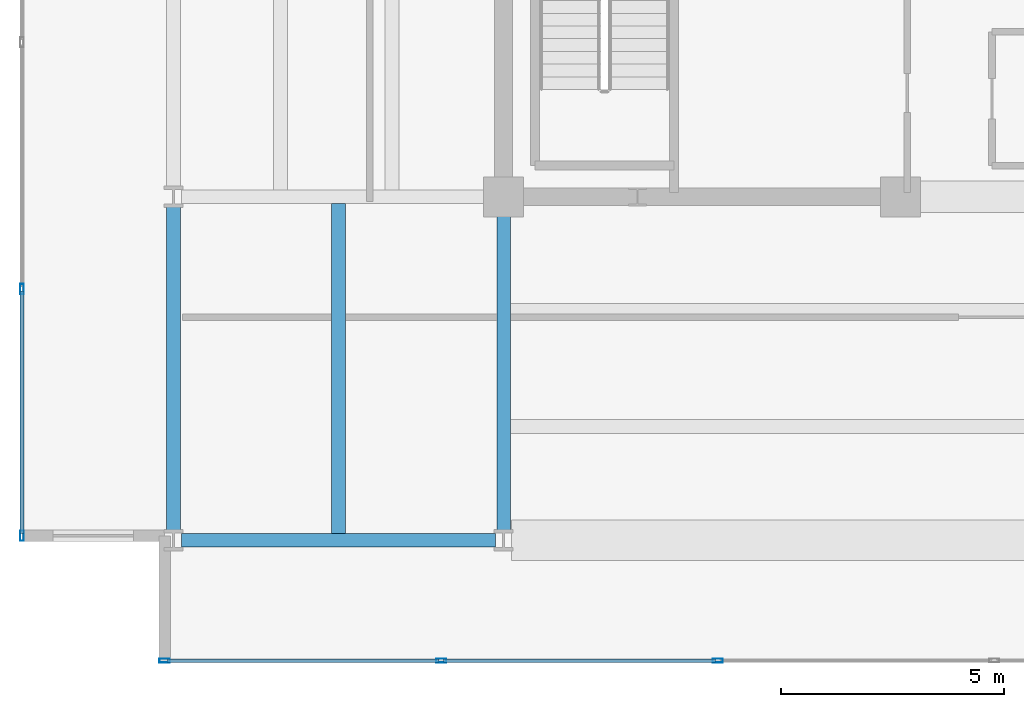
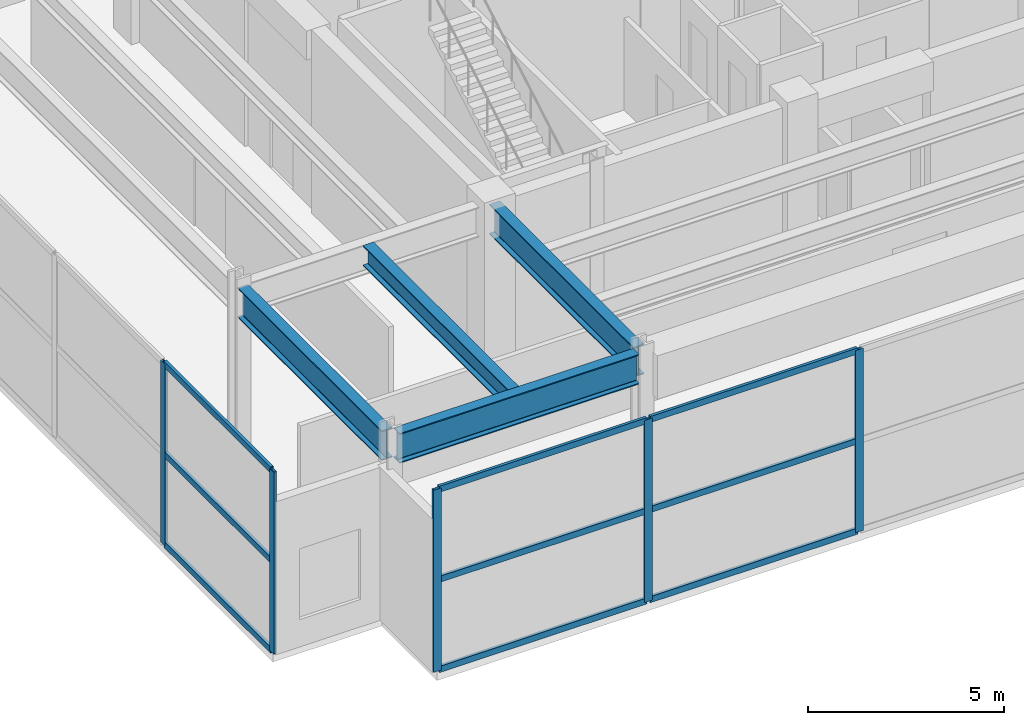
# One storey, part 2 of 21: 14 members, 4 beams, 2 elements without a shape of their own.
"""IFC4 building model written with IfcOpenShell, lengths in metres."""

from ifc_helpers import new_model, si_unit, direction, frame, origin, origin_2d, place, context, subcontext, project, spatial, hollow_rectangle, i_section, extrude, material, material_profile, profile_set, type_object, element, aggregate, save


model = new_model("IFC4")

# Units and contexts
model_context = context("Model", 3, precision=1e-05, world=origin(), true_north=direction((0.0, 1.0)))
body_context = subcontext(model_context, "Body", "Model", "MODEL_VIEW")
ifc_project = project(units=[si_unit("LENGTHUNIT", "METRE"), si_unit("AREAUNIT", "SQUARE_METRE"), si_unit("VOLUMEUNIT", "CUBIC_METRE"), si_unit("PLANEANGLEUNIT", "RADIAN"), si_unit("MASSUNIT", "GRAM", prefix="KILO")], contexts=[model_context])

# Site, building, storey
site_placement = place(None, origin())
site = spatial("IfcSite", under=ifc_project, at=site_placement, CompositionType="ELEMENT")
building_placement = place(site_placement, origin())
building = spatial("IfcBuilding", under=site, at=building_placement, Name="Kovane Verandah Tower", CompositionType="ELEMENT")
storey_placement = place(building_placement, frame((0.0, 0.0, 342.800048828125)))
storey = spatial("IfcBuildingStorey", under=building, at=storey_placement, Name="L80", CompositionType="ELEMENT", Elevation=342.800048828125)

# Beams
ifc_material_1 = material(Name="Steel S460", Category="steel")
ifc_material_profile_1 = material_profile(ifc_material_1, i_section(OverallWidth=0.311279296875, OverallDepth=0.6357421875, WebThickness=0.018310546875, FlangeThickness=0.031494140625, FilletRadius=0.0166015625, at=origin_2d()), Name="UB610x305x238")
ifc_profile_set_1 = profile_set([ifc_material_profile_1], Name="Steel S460")
beam_type_1 = type_object("IfcBeamType", Name="BM-UB610x238", PredefinedType="BEAM", material=ifc_profile_set_1)
beam_1_placement = place(storey_placement, frame((25.300048828125, 10.951904296875, 5.382080078125), z_axis=(0.0, 1.0, 0.0), x_axis=(-1.0, 0.0, 0.0)))
element("IfcBeam", 1, at=beam_1_placement, inside=storey, type_object=beam_type_1, Name="L80 Secondary Composite Joist J-SW1", PredefinedType="BEAM", context=body_context, shape_type="SweptSolid", body=[
    extrude(i_section(OverallWidth=0.311279296875, OverallDepth=0.6357421875, WebThickness=0.018310546875, FlangeThickness=0.031494140625, FilletRadius=0.0166015625, at=origin_2d()), origin(), (0.0, 0.0, 1.0), 7.396240234375),
])
ifc_material_profile_2 = material_profile(ifc_material_1, i_section(OverallWidth=0.3076171875, OverallDepth=0.926513671875, WebThickness=0.01953125, FlangeThickness=0.031982421875, FilletRadius=0.01904296875, at=origin_2d()), Name="UB914x305x289")
ifc_profile_set_2 = profile_set([ifc_material_profile_2], Name="Steel S460")
beam_type_2 = type_object("IfcBeamType", Name="BM-UB914x289", PredefinedType="BEAM", material=ifc_profile_set_2)
beam_2_placement = place(storey_placement, frame((21.780029296875, 10.800048828125, 5.236572265625), z_axis=(1.0, 0.0, 0.0), x_axis=(0.0, 1.0, 0.0)))
element("IfcBeam", 2, at=beam_2_placement, inside=storey, type_object=beam_type_2, Name="L80 Primary Tower Girder G-RS1", PredefinedType="BEAM", context=body_context, shape_type="SweptSolid", body=[
    extrude(i_section(OverallWidth=0.3076171875, OverallDepth=0.926513671875, WebThickness=0.01953125, FlangeThickness=0.031982421875, FilletRadius=0.01904296875, at=origin_2d()), origin(), (0.0, 0.0, 1.0), 7.0400390625),
])
for number, where, z_axis, x_axis, name in (
    (3, (21.60009765625, 10.97998046875, 5.236572265625), (0.0, 1.0, 0.0), (-1.0, 0.0, 0.0), "L80 Primary Tower Girder G-RW1"),
    (4, (29.0, 18.320068359375, 5.236572265625), (0.0, -1.0, 0.0), (1.0, 0.0, 0.0), "L80 Primary Tower Girder G-S1"),
):
    element("IfcBeam", number, at=place(storey_placement, frame(where, z_axis=z_axis, x_axis=x_axis)), inside=storey, type_object=beam_type_2, Name=name, PredefinedType="BEAM", context=body_context, shape_type="SweptSolid", body=[
        extrude(i_section(OverallWidth=0.3076171875, OverallDepth=0.926513671875, WebThickness=0.01953125, FlangeThickness=0.031982421875, FilletRadius=0.01904296875, at=origin_2d()), origin(), (0.0, 0.0, 1.0), 7.340087890625),
    ])

# Curtain wall, members
ifc_material_2 = material(Name="Champagne Anodised Aluminium Frame with Low-E Clear Laminated Glass", Category="aluminium")
curtain_wall_type = type_object("IfcCurtainWallType", Name="CW-SYS-06-CROWN", PredefinedType="NOTDEFINED", material=ifc_material_2)
curtain_wall_1_placement = place(storey_placement, origin())
curtain_wall_1 = element("IfcCurtainWall", 5, at=curtain_wall_1_placement, inside=storey, type_object=curtain_wall_type, Name="L80 S Unitised Curtain Wall", PredefinedType="NOTDEFINED")
ifc_material_3 = material(Name="Champagne Anodised Aluminium 6063-T6", Category="aluminium")
ifc_material_profile_3 = material_profile(ifc_material_3, hollow_rectangle(XDim=0.0849609375, YDim=0.22998046875, WallThickness=0.00390625, at=origin_2d()), Name="AL85x230x4")
ifc_profile_set_3 = profile_set([ifc_material_profile_3], Name="Champagne Anodised Aluminium 6063-T6")
member_type_1 = type_object("IfcMemberType", Name="CW-MUL-85x230", PredefinedType="MULLION", material=ifc_profile_set_3)
member_1_placement = place(storey_placement, frame((21.39990234375, 8.10009765625, 0.02001953125), z_axis=(0.0, 0.0, 1.0), x_axis=(0.0, -1.0, 0.0)))
member_1 = element("IfcMember", 6, at=member_1_placement, type_object=member_type_1, Name="L80 S Unitised Curtain Wall Mullion 1", PredefinedType="MULLION", context=body_context, shape_type="SweptSolid", body=[
    extrude(hollow_rectangle(XDim=0.0849609375, YDim=0.22998046875, WallThickness=0.00390625, at=origin_2d()), origin(), (0.0, 0.0, 1.0), 5.659912109375),
])
member_2_placement = place(storey_placement, frame((27.60009765625, 8.10009765625, 0.02001953125), z_axis=(0.0, 0.0, 1.0), x_axis=(0.0, -1.0, 0.0)))
member_2 = element("IfcMember", 7, at=member_2_placement, type_object=member_type_1, Name="L80 S Unitised Curtain Wall Mullion 2", PredefinedType="MULLION", context=body_context, shape_type="SweptSolid", body=[
    extrude(hollow_rectangle(XDim=0.0849609375, YDim=0.22998046875, WallThickness=0.00390625, at=origin_2d()), origin(), (0.0, 0.0, 1.0), 5.659912109375),
])
member_3_placement = place(storey_placement, frame((33.800048828125, 8.10009765625, 0.02001953125), z_axis=(0.0, 0.0, 1.0), x_axis=(0.0, -1.0, 0.0)))
member_3 = element("IfcMember", 8, at=member_3_placement, type_object=member_type_1, Name="L80 S Unitised Curtain Wall Mullion 3", PredefinedType="MULLION", context=body_context, shape_type="SweptSolid", body=[
    extrude(hollow_rectangle(XDim=0.0849609375, YDim=0.22998046875, WallThickness=0.00390625, at=origin_2d()), origin(), (0.0, 0.0, 1.0), 5.659912109375),
])

curtain_wall_2_placement = place(storey_placement, origin())
curtain_wall_2 = element("IfcCurtainWall", 9, at=curtain_wall_2_placement, inside=storey, type_object=curtain_wall_type, Name="L80 W Unitised Curtain Wall", PredefinedType="NOTDEFINED")
member_4_placement = place(storey_placement, frame((18.199951171875, 16.433349609375, 0.02001953125), z_axis=(0.0, 0.0, 1.0), x_axis=(-1.0, 0.0, 0.0)))
member_4 = element("IfcMember", 10, at=member_4_placement, type_object=member_type_1, Name="L80 W Unitised Curtain Wall Mullion 6", PredefinedType="MULLION", context=body_context, shape_type="SweptSolid", body=[
    extrude(hollow_rectangle(XDim=0.0849609375, YDim=0.22998046875, WallThickness=0.00390625, at=origin_2d()), origin(), (0.0, 0.0, 1.0), 5.659912109375),
])
member_5_placement = place(storey_placement, frame((18.199951171875, 10.89990234375, 0.02001953125), z_axis=(0.0, 0.0, 1.0), x_axis=(-1.0, 0.0, 0.0)))
member_5 = element("IfcMember", 11, at=member_5_placement, type_object=member_type_1, Name="L80 W Unitised Curtain Wall Mullion 7", PredefinedType="MULLION", context=body_context, shape_type="SweptSolid", body=[
    extrude(hollow_rectangle(XDim=0.0849609375, YDim=0.22998046875, WallThickness=0.00390625, at=origin_2d()), origin(), (0.0, 0.0, 1.0), 5.659912109375),
])

# Member
ifc_material_profile_4 = material_profile(ifc_material_3, hollow_rectangle(XDim=0.0849609375, YDim=0.18994140625, WallThickness=0.00390625, at=origin_2d()), Name="AL85x190x4")
ifc_profile_set_4 = profile_set([ifc_material_profile_4], Name="Champagne Anodised Aluminium 6063-T6")
member_type_2 = type_object("IfcMemberType", Name="CW-TRN-85x190", PredefinedType="USERDEFINED", material=ifc_profile_set_4)
member_6_placement = place(storey_placement, frame((21.449951171875, 8.10009765625, 0.050048828125), z_axis=(1.0, 0.0, 0.0), x_axis=(0.0, 1.0, 0.0)))
member_6 = element("IfcMember", 12, at=member_6_placement, type_object=member_type_2, Name="L80 S Unitised Curtain Wall Transom TB Bay 1", ObjectType="TRANSOM", PredefinedType="USERDEFINED", context=body_context, shape_type="SweptSolid", body=[
    extrude(hollow_rectangle(XDim=0.0849609375, YDim=0.18994140625, WallThickness=0.00390625, at=origin_2d()), origin(), (0.0, 0.0, 1.0), 6.10009765625),
])

member_7_placement = place(storey_placement, frame((21.449951171875, 8.10009765625, 2.849853515625), z_axis=(1.0, 0.0, 0.0), x_axis=(0.0, 1.0, 0.0)))
member_7 = element("IfcMember", 13, at=member_7_placement, type_object=member_type_2, Name="L80 S Unitised Curtain Wall Transom TM Bay 1", ObjectType="TRANSOM", PredefinedType="USERDEFINED", context=body_context, shape_type="SweptSolid", body=[
    extrude(hollow_rectangle(XDim=0.0849609375, YDim=0.18994140625, WallThickness=0.00390625, at=origin_2d()), origin(), (0.0, 0.0, 1.0), 6.10009765625),
])

member_8_placement = place(storey_placement, frame((21.449951171875, 8.10009765625, 5.64990234375), z_axis=(1.0, 0.0, 0.0), x_axis=(0.0, 1.0, 0.0)))
member_8 = element("IfcMember", 14, at=member_8_placement, type_object=member_type_2, Name="L80 S Unitised Curtain Wall Transom TT Bay 1", ObjectType="TRANSOM", PredefinedType="USERDEFINED", context=body_context, shape_type="SweptSolid", body=[
    extrude(hollow_rectangle(XDim=0.0849609375, YDim=0.18994140625, WallThickness=0.00390625, at=origin_2d()), origin(), (0.0, 0.0, 1.0), 6.10009765625),
])

member_9_placement = place(storey_placement, frame((27.64990234375, 8.10009765625, 0.050048828125), z_axis=(1.0, 0.0, 0.0), x_axis=(0.0, 1.0, 0.0)))
member_9 = element("IfcMember", 15, at=member_9_placement, type_object=member_type_2, Name="L80 S Unitised Curtain Wall Transom TB Bay 2", ObjectType="TRANSOM", PredefinedType="USERDEFINED", context=body_context, shape_type="SweptSolid", body=[
    extrude(hollow_rectangle(XDim=0.0849609375, YDim=0.18994140625, WallThickness=0.00390625, at=origin_2d()), origin(), (0.0, 0.0, 1.0), 6.10009765625),
])

member_10_placement = place(storey_placement, frame((27.64990234375, 8.10009765625, 2.849853515625), z_axis=(1.0, 0.0, 0.0), x_axis=(0.0, 1.0, 0.0)))
member_10 = element("IfcMember", 16, at=member_10_placement, type_object=member_type_2, Name="L80 S Unitised Curtain Wall Transom TM Bay 2", ObjectType="TRANSOM", PredefinedType="USERDEFINED", context=body_context, shape_type="SweptSolid", body=[
    extrude(hollow_rectangle(XDim=0.0849609375, YDim=0.18994140625, WallThickness=0.00390625, at=origin_2d()), origin(), (0.0, 0.0, 1.0), 6.10009765625),
])

member_11_placement = place(storey_placement, frame((27.64990234375, 8.10009765625, 5.64990234375), z_axis=(1.0, 0.0, 0.0), x_axis=(0.0, 1.0, 0.0)))
member_11 = element("IfcMember", 17, at=member_11_placement, type_object=member_type_2, Name="L80 S Unitised Curtain Wall Transom TT Bay 2", ObjectType="TRANSOM", PredefinedType="USERDEFINED", context=body_context, shape_type="SweptSolid", body=[
    extrude(hollow_rectangle(XDim=0.0849609375, YDim=0.18994140625, WallThickness=0.00390625, at=origin_2d()), origin(), (0.0, 0.0, 1.0), 6.10009765625),
])

aggregate(curtain_wall_1, [member_1, member_2, member_3, member_6, member_7, member_8, member_9, member_10, member_11])

member_12_placement = place(storey_placement, frame((18.199951171875, 16.38330078125, 0.050048828125), z_axis=(0.0, -1.0, 0.0), x_axis=(1.0, 0.0, 0.0)))
member_12 = element("IfcMember", 18, at=member_12_placement, type_object=member_type_2, Name="L80 W Unitised Curtain Wall Transom TB Bay 6", ObjectType="TRANSOM", PredefinedType="USERDEFINED", context=body_context, shape_type="SweptSolid", body=[
    extrude(hollow_rectangle(XDim=0.0849609375, YDim=0.18994140625, WallThickness=0.00390625, at=origin_2d()), origin(), (0.0, 0.0, 1.0), 5.433349609375),
])

member_13_placement = place(storey_placement, frame((18.199951171875, 16.38330078125, 2.849853515625), z_axis=(0.0, -1.0, 0.0), x_axis=(1.0, 0.0, 0.0)))
member_13 = element("IfcMember", 19, at=member_13_placement, type_object=member_type_2, Name="L80 W Unitised Curtain Wall Transom TM Bay 6", ObjectType="TRANSOM", PredefinedType="USERDEFINED", context=body_context, shape_type="SweptSolid", body=[
    extrude(hollow_rectangle(XDim=0.0849609375, YDim=0.18994140625, WallThickness=0.00390625, at=origin_2d()), origin(), (0.0, 0.0, 1.0), 5.433349609375),
])

member_14_placement = place(storey_placement, frame((18.199951171875, 16.38330078125, 5.64990234375), z_axis=(0.0, -1.0, 0.0), x_axis=(1.0, 0.0, 0.0)))
member_14 = element("IfcMember", 20, at=member_14_placement, type_object=member_type_2, Name="L80 W Unitised Curtain Wall Transom TT Bay 6", ObjectType="TRANSOM", PredefinedType="USERDEFINED", context=body_context, shape_type="SweptSolid", body=[
    extrude(hollow_rectangle(XDim=0.0849609375, YDim=0.18994140625, WallThickness=0.00390625, at=origin_2d()), origin(), (0.0, 0.0, 1.0), 5.433349609375),
])

aggregate(curtain_wall_2, [member_4, member_5, member_12, member_13, member_14])

save(model, "model.ifc")
